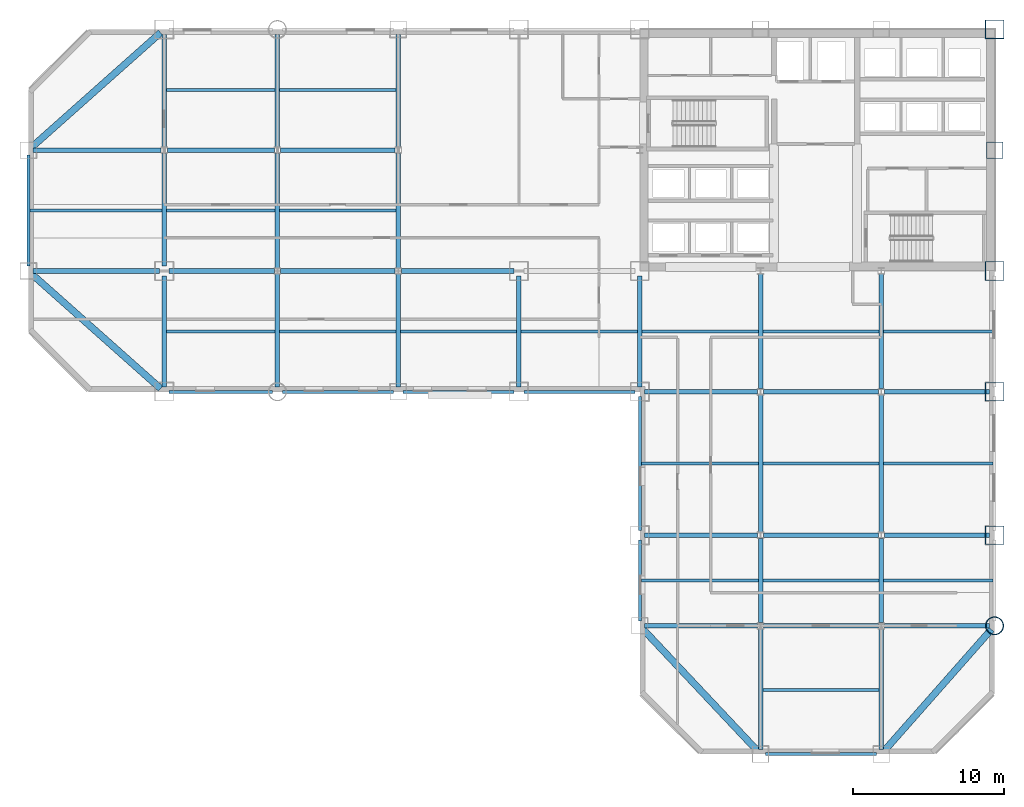
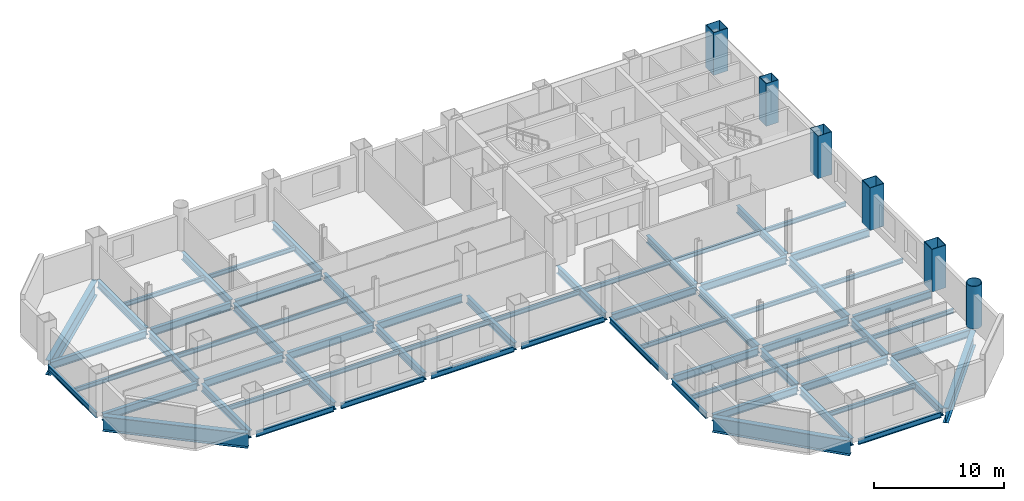
# One storey, part 3 of 9: 66 beams, 6 columns.
"""IFC4 building model written with IfcOpenShell, lengths in metres."""

from ifc_helpers import new_model, si_unit, direction, frame, origin, origin_2d, place, context, subcontext, project, spatial, hollow_rectangle, hollow_circle, i_section, extrude, material, material_profile, profile_set, type_object, element, save


model = new_model("IFC4")

# Units and contexts
model_context = context("Model", 3, precision=1e-05, world=origin(), true_north=direction((0.0, 1.0)))
body_context = subcontext(model_context, "Body", "Model", "MODEL_VIEW")
ifc_project = project(units=[si_unit("LENGTHUNIT", "METRE"), si_unit("AREAUNIT", "SQUARE_METRE"), si_unit("VOLUMEUNIT", "CUBIC_METRE"), si_unit("PLANEANGLEUNIT", "RADIAN"), si_unit("MASSUNIT", "GRAM", prefix="KILO")], contexts=[model_context])

# Site, building, storey
site_placement = place(None, origin())
site = spatial("IfcSite", under=ifc_project, at=site_placement, CompositionType="ELEMENT")
building_placement = place(site_placement, origin())
building = spatial("IfcBuilding", under=site, at=building_placement, Name="Qianrong Seaharbour Tower", CompositionType="ELEMENT")
storey_placement = place(building_placement, frame((0.0, 0.0, 52.199951171875)))
storey = spatial("IfcBuildingStorey", under=building, at=storey_placement, Name="L12", CompositionType="ELEMENT", Elevation=52.199951171875)

# Columns
ifc_material_1 = material(Name="Structural steel SN490B", Category="steel")
ifc_material_profile_1 = material_profile(ifc_material_1, hollow_rectangle(XDim=1.25, YDim=1.25, WallThickness=0.044921875, at=origin_2d()), Name="BOX1250x1250x45")
ifc_profile_set_1 = profile_set([ifc_material_profile_1], Name="Structural steel SN490B")
column_type_1 = type_object("IfcColumnType", Name="COL-CFT-1250", PredefinedType="COLUMN", material=ifc_profile_set_1)
for number, where, z_axis, x_axis, name in (
    (1, (64.0, 18.5, 0.0), (0.0, 0.0, 1.0), (1.0, 0.0, 0.0), "L12 Column MC-2 at G9/GD"),
    (2, (64.0, 28.0, 0.0), (0.0, 0.0, 1.0), (1.0, 0.0, 0.0), "L12 Column MC-2 at G9/GE"),
    (3, (64.0, 36.0, 0.0), (0.0, 0.0, 1.0), (1.0, 0.0, 0.0), "L12 Column MC-2 at G9/GF"),
    (4, (64.0, 52.0, 0.0), (0.0, 0.0, 1.0), (1.0, 0.0, 0.0), "L12 Column MC-2 at G9/GH"),
):
    element("IfcColumn", number, at=place(storey_placement, frame(where, z_axis=z_axis, x_axis=x_axis)), inside=storey, type_object=column_type_1, Name=name, PredefinedType="COLUMN", context=body_context, shape_type="SweptSolid", body=[
        extrude(hollow_rectangle(XDim=1.25, YDim=1.25, WallThickness=0.044921875, at=origin_2d()), origin(), (0.0, 0.0, 1.0), 4.0),
    ])
ifc_material_profile_2 = material_profile(ifc_material_1, hollow_circle(Radius=0.60009765625, WallThickness=0.0400390625, at=origin_2d()), Name="CHS1200x40")
ifc_profile_set_2 = profile_set([ifc_material_profile_2], Name="Structural steel SN490B")
column_type_2 = type_object("IfcColumnType", Name="COL-CHS-1200", PredefinedType="COLUMN", material=ifc_profile_set_2)
column_1_placement = place(storey_placement, frame((64.0, 12.5, 0.0), z_axis=(0.0, 0.0, 1.0), x_axis=(1.0, 0.0, 0.0)))
element("IfcColumn", 5, at=column_1_placement, inside=storey, type_object=column_type_2, Name="L12 Column CC-1 at G9/GC", PredefinedType="COLUMN", context=body_context, shape_type="SweptSolid", body=[
    extrude(hollow_circle(Radius=0.60009765625, WallThickness=0.0400390625, at=origin_2d()), origin(), (0.0, 0.0, 1.0), 4.0),
])
ifc_material_profile_3 = material_profile(ifc_material_1, hollow_rectangle(XDim=1.10009765625, YDim=1.10009765625, WallThickness=0.0400390625, at=origin_2d()), Name="BOX1100x1100x40")
ifc_profile_set_3 = profile_set([ifc_material_profile_3], Name="Structural steel SN490B")
column_type_3 = type_object("IfcColumnType", Name="COL-PER-1100", PredefinedType="COLUMN", material=ifc_profile_set_3)
column_2_placement = place(storey_placement, frame((64.0, 44.0, 0.0), z_axis=(0.0, 0.0, 1.0), x_axis=(1.0, 0.0, 0.0)))
element("IfcColumn", 6, at=column_2_placement, inside=storey, type_object=column_type_3, Name="L12 Column PC-1 at G9/GG", PredefinedType="COLUMN", context=body_context, shape_type="SweptSolid", body=[
    extrude(hollow_rectangle(XDim=1.10009765625, YDim=1.10009765625, WallThickness=0.0400390625, at=origin_2d()), origin(), (0.0, 0.0, 1.0), 4.0),
])

# Beams
ifc_material_profile_4 = material_profile(ifc_material_1, i_section(OverallWidth=0.300048828125, OverallDepth=0.699951171875, WebThickness=0.012939453125, FlangeThickness=0.02392578125, FilletRadius=0.02587890625, at=origin_2d()), Name="H700x300x13x24")
ifc_profile_set_4 = profile_set([ifc_material_profile_4], Name="Structural steel SN490B")
beam_type_1 = type_object("IfcBeamType", Name="BM-G-700", PredefinedType="BEAM", material=ifc_profile_set_4)
beam_1_placement = place(storey_placement, frame((40.820068359375, 12.5, -0.599853515625), z_axis=(1.0, 0.0, 0.0), x_axis=(0.0, 1.0, 0.0)))
element("IfcBeam", 7, at=beam_1_placement, inside=storey, type_object=beam_type_1, Name="L12 Primary Girder GC G6-G7", PredefinedType="BEAM", context=body_context, shape_type="SweptSolid", body=[
    extrude(i_section(OverallWidth=0.300048828125, OverallDepth=0.699951171875, WebThickness=0.012939453125, FlangeThickness=0.02392578125, FilletRadius=0.02587890625, at=origin_2d()), origin(), (0.0, 0.0, 1.0), 7.476318359375),
])
beam_2_placement = place(storey_placement, frame((48.70361328125, 12.5, -0.599853515625), z_axis=(1.0, 0.0, 0.0), x_axis=(0.0, 1.0, 0.0)))
element("IfcBeam", 8, at=beam_2_placement, inside=storey, type_object=beam_type_1, Name="L12 Primary Girder GC G7-G8", PredefinedType="BEAM", context=body_context, shape_type="SweptSolid", body=[
    extrude(i_section(OverallWidth=0.300048828125, OverallDepth=0.699951171875, WebThickness=0.012939453125, FlangeThickness=0.02392578125, FilletRadius=0.02587890625, at=origin_2d()), origin(), (0.0, 0.0, 1.0), 7.5927734375),
])
beam_3_placement = place(storey_placement, frame((56.70361328125, 12.5, -0.599853515625), z_axis=(1.0, 0.0, 0.0), x_axis=(0.0, 1.0, 0.0)))
element("IfcBeam", 9, at=beam_3_placement, inside=storey, type_object=beam_type_1, Name="L12 Primary Girder GC G8-G9", PredefinedType="BEAM", context=body_context, shape_type="SweptSolid", body=[
    extrude(i_section(OverallWidth=0.300048828125, OverallDepth=0.699951171875, WebThickness=0.012939453125, FlangeThickness=0.02392578125, FilletRadius=0.02587890625, at=origin_2d()), origin(), (0.0, 0.0, 1.0), 6.976318359375),
])
beam_4_placement = place(storey_placement, frame((40.820068359375, 18.5, -0.599853515625), z_axis=(1.0, 0.0, 0.0), x_axis=(0.0, 1.0, 0.0)))
element("IfcBeam", 10, at=beam_4_placement, inside=storey, type_object=beam_type_1, Name="L12 Primary Girder GD G6-G7", PredefinedType="BEAM", context=body_context, shape_type="SweptSolid", body=[
    extrude(i_section(OverallWidth=0.300048828125, OverallDepth=0.699951171875, WebThickness=0.012939453125, FlangeThickness=0.02392578125, FilletRadius=0.02587890625, at=origin_2d()), origin(), (0.0, 0.0, 1.0), 7.476318359375),
])
beam_5_placement = place(storey_placement, frame((48.70361328125, 18.5, -0.599853515625), z_axis=(1.0, 0.0, 0.0), x_axis=(0.0, 1.0, 0.0)))
element("IfcBeam", 11, at=beam_5_placement, inside=storey, type_object=beam_type_1, Name="L12 Primary Girder GD G7-G8", PredefinedType="BEAM", context=body_context, shape_type="SweptSolid", body=[
    extrude(i_section(OverallWidth=0.300048828125, OverallDepth=0.699951171875, WebThickness=0.012939453125, FlangeThickness=0.02392578125, FilletRadius=0.02587890625, at=origin_2d()), origin(), (0.0, 0.0, 1.0), 7.5927734375),
])
beam_6_placement = place(storey_placement, frame((56.70361328125, 18.5, -0.599853515625), z_axis=(1.0, 0.0, 0.0), x_axis=(0.0, 1.0, 0.0)))
element("IfcBeam", 12, at=beam_6_placement, inside=storey, type_object=beam_type_1, Name="L12 Primary Girder GD G8-G9", PredefinedType="BEAM", context=body_context, shape_type="SweptSolid", body=[
    extrude(i_section(OverallWidth=0.300048828125, OverallDepth=0.699951171875, WebThickness=0.012939453125, FlangeThickness=0.02392578125, FilletRadius=0.02587890625, at=origin_2d()), origin(), (0.0, 0.0, 1.0), 6.976318359375),
])
beam_7_placement = place(storey_placement, frame((40.820068359375, 28.0, -0.599853515625), z_axis=(1.0, 0.0, 0.0), x_axis=(0.0, 1.0, 0.0)))
element("IfcBeam", 13, at=beam_7_placement, inside=storey, type_object=beam_type_1, Name="L12 Primary Girder GE G6-G7", PredefinedType="BEAM", context=body_context, shape_type="SweptSolid", body=[
    extrude(i_section(OverallWidth=0.300048828125, OverallDepth=0.699951171875, WebThickness=0.012939453125, FlangeThickness=0.02392578125, FilletRadius=0.02587890625, at=origin_2d()), origin(), (0.0, 0.0, 1.0), 7.476318359375),
])
beam_8_placement = place(storey_placement, frame((48.70361328125, 28.0, -0.599853515625), z_axis=(1.0, 0.0, 0.0), x_axis=(0.0, 1.0, 0.0)))
element("IfcBeam", 14, at=beam_8_placement, inside=storey, type_object=beam_type_1, Name="L12 Primary Girder GE G7-G8", PredefinedType="BEAM", context=body_context, shape_type="SweptSolid", body=[
    extrude(i_section(OverallWidth=0.300048828125, OverallDepth=0.699951171875, WebThickness=0.012939453125, FlangeThickness=0.02392578125, FilletRadius=0.02587890625, at=origin_2d()), origin(), (0.0, 0.0, 1.0), 7.5927734375),
])
beam_9_placement = place(storey_placement, frame((56.70361328125, 28.0, -0.599853515625), z_axis=(1.0, 0.0, 0.0), x_axis=(0.0, 1.0, 0.0)))
element("IfcBeam", 15, at=beam_9_placement, inside=storey, type_object=beam_type_1, Name="L12 Primary Girder GE G8-G9", PredefinedType="BEAM", context=body_context, shape_type="SweptSolid", body=[
    extrude(i_section(OverallWidth=0.300048828125, OverallDepth=0.699951171875, WebThickness=0.012939453125, FlangeThickness=0.02392578125, FilletRadius=0.02587890625, at=origin_2d()), origin(), (0.0, 0.0, 1.0), 6.976318359375),
])
beam_10_placement = place(storey_placement, frame((0.320068359375, 36.0, -0.599853515625), z_axis=(1.0, 0.0, 0.0), x_axis=(0.0, 1.0, 0.0)))
element("IfcBeam", 16, at=beam_10_placement, inside=storey, type_object=beam_type_1, Name="L12 Primary Girder GF G1-G2", PredefinedType="BEAM", context=body_context, shape_type="SweptSolid", body=[
    extrude(i_section(OverallWidth=0.300048828125, OverallDepth=0.699951171875, WebThickness=0.012939453125, FlangeThickness=0.02392578125, FilletRadius=0.02587890625, at=origin_2d()), origin(), (0.0, 0.0, 1.0), 8.35986328125),
])
beam_11_placement = place(storey_placement, frame((9.320068359375, 36.0, -0.599853515625), z_axis=(1.0, 0.0, 0.0), x_axis=(0.0, 1.0, 0.0)))
element("IfcBeam", 17, at=beam_11_placement, inside=storey, type_object=beam_type_1, Name="L12 Primary Girder GF G2-G3", PredefinedType="BEAM", context=body_context, shape_type="SweptSolid", body=[
    extrude(i_section(OverallWidth=0.300048828125, OverallDepth=0.699951171875, WebThickness=0.012939453125, FlangeThickness=0.02392578125, FilletRadius=0.02587890625, at=origin_2d()), origin(), (0.0, 0.0, 1.0), 6.976318359375),
])
beam_12_placement = place(storey_placement, frame((16.70361328125, 36.0, -0.599853515625), z_axis=(1.0, 0.0, 0.0), x_axis=(0.0, 1.0, 0.0)))
element("IfcBeam", 18, at=beam_12_placement, inside=storey, type_object=beam_type_1, Name="L12 Primary Girder GF G3-G4", PredefinedType="BEAM", context=body_context, shape_type="SweptSolid", body=[
    extrude(i_section(OverallWidth=0.300048828125, OverallDepth=0.699951171875, WebThickness=0.012939453125, FlangeThickness=0.02392578125, FilletRadius=0.02587890625, at=origin_2d()), origin(), (0.0, 0.0, 1.0), 7.5927734375),
])
beam_13_placement = place(storey_placement, frame((24.70361328125, 36.0, -0.599853515625), z_axis=(1.0, 0.0, 0.0), x_axis=(0.0, 1.0, 0.0)))
element("IfcBeam", 19, at=beam_13_placement, inside=storey, type_object=beam_type_1, Name="L12 Primary Girder GF G4-G5", PredefinedType="BEAM", context=body_context, shape_type="SweptSolid", body=[
    extrude(i_section(OverallWidth=0.300048828125, OverallDepth=0.699951171875, WebThickness=0.012939453125, FlangeThickness=0.02392578125, FilletRadius=0.02587890625, at=origin_2d()), origin(), (0.0, 0.0, 1.0), 7.476318359375),
])
beam_14_placement = place(storey_placement, frame((0.320068359375, 44.0, -0.599853515625), z_axis=(1.0, 0.0, 0.0), x_axis=(0.0, 1.0, 0.0)))
element("IfcBeam", 20, at=beam_14_placement, inside=storey, type_object=beam_type_1, Name="L12 Primary Girder GG G1-G2", PredefinedType="BEAM", context=body_context, shape_type="SweptSolid", body=[
    extrude(i_section(OverallWidth=0.300048828125, OverallDepth=0.699951171875, WebThickness=0.012939453125, FlangeThickness=0.02392578125, FilletRadius=0.02587890625, at=origin_2d()), origin(), (0.0, 0.0, 1.0), 8.476318359375),
])
beam_15_placement = place(storey_placement, frame((9.20361328125, 44.0, -0.599853515625), z_axis=(1.0, 0.0, 0.0), x_axis=(0.0, 1.0, 0.0)))
element("IfcBeam", 21, at=beam_15_placement, inside=storey, type_object=beam_type_1, Name="L12 Primary Girder GG G2-G3", PredefinedType="BEAM", context=body_context, shape_type="SweptSolid", body=[
    extrude(i_section(OverallWidth=0.300048828125, OverallDepth=0.699951171875, WebThickness=0.012939453125, FlangeThickness=0.02392578125, FilletRadius=0.02587890625, at=origin_2d()), origin(), (0.0, 0.0, 1.0), 7.0927734375),
])
beam_16_placement = place(storey_placement, frame((16.70361328125, 44.0, -0.599853515625), z_axis=(1.0, 0.0, 0.0), x_axis=(0.0, 1.0, 0.0)))
element("IfcBeam", 22, at=beam_16_placement, inside=storey, type_object=beam_type_1, Name="L12 Primary Girder GG G3-G4", PredefinedType="BEAM", context=body_context, shape_type="SweptSolid", body=[
    extrude(i_section(OverallWidth=0.300048828125, OverallDepth=0.699951171875, WebThickness=0.012939453125, FlangeThickness=0.02392578125, FilletRadius=0.02587890625, at=origin_2d()), origin(), (0.0, 0.0, 1.0), 7.5927734375),
])
beam_17_placement = place(storey_placement, frame((9.0, 28.320068359375, -0.599853515625), z_axis=(0.0, 1.0, 0.0), x_axis=(-1.0, 0.0, 0.0)))
element("IfcBeam", 23, at=beam_17_placement, inside=storey, type_object=beam_type_1, Name="L12 Primary Girder G2 GE-GF", PredefinedType="BEAM", context=body_context, shape_type="SweptSolid", body=[
    extrude(i_section(OverallWidth=0.300048828125, OverallDepth=0.699951171875, WebThickness=0.012939453125, FlangeThickness=0.02392578125, FilletRadius=0.02587890625, at=origin_2d()), origin(), (0.0, 0.0, 1.0), 7.35986328125),
])
for number, where, z_axis, x_axis, name in (
    (24, (9.0, 36.320068359375, -0.599853515625), (0.0, 1.0, 0.0), (-1.0, 0.0, 0.0), "L12 Primary Girder G2 GF-GG"),
    (25, (9.0, 44.214111328125, -0.599853515625), (0.0, 1.0, 0.0), (-1.0, 0.0, 0.0), "L12 Primary Girder G2 GG-GH"),
    (26, (16.5, 28.320068359375, -0.599853515625), (0.0, 1.0, 0.0), (-1.0, 0.0, 0.0), "L12 Primary Girder G3 GE-GF"),
):
    element("IfcBeam", number, at=place(storey_placement, frame(where, z_axis=z_axis, x_axis=x_axis)), inside=storey, type_object=beam_type_1, Name=name, PredefinedType="BEAM", context=body_context, shape_type="SweptSolid", body=[
        extrude(i_section(OverallWidth=0.300048828125, OverallDepth=0.699951171875, WebThickness=0.012939453125, FlangeThickness=0.02392578125, FilletRadius=0.02587890625, at=origin_2d()), origin(), (0.0, 0.0, 1.0), 7.4658203125),
    ])
beam_18_placement = place(storey_placement, frame((16.5, 36.214111328125, -0.599853515625), z_axis=(0.0, 1.0, 0.0), x_axis=(-1.0, 0.0, 0.0)))
element("IfcBeam", 27, at=beam_18_placement, inside=storey, type_object=beam_type_1, Name="L12 Primary Girder G3 GF-GG", PredefinedType="BEAM", context=body_context, shape_type="SweptSolid", body=[
    extrude(i_section(OverallWidth=0.300048828125, OverallDepth=0.699951171875, WebThickness=0.012939453125, FlangeThickness=0.02392578125, FilletRadius=0.02587890625, at=origin_2d()), origin(), (0.0, 0.0, 1.0), 7.57177734375),
])
for number, where, z_axis, x_axis, name in (
    (28, (16.5, 44.214111328125, -0.599853515625), (0.0, 1.0, 0.0), (-1.0, 0.0, 0.0), "L12 Primary Girder G3 GG-GH"),
    (29, (24.5, 28.320068359375, -0.599853515625), (0.0, 1.0, 0.0), (-1.0, 0.0, 0.0), "L12 Primary Girder G4 GE-GF"),
):
    element("IfcBeam", number, at=place(storey_placement, frame(where, z_axis=z_axis, x_axis=x_axis)), inside=storey, type_object=beam_type_1, Name=name, PredefinedType="BEAM", context=body_context, shape_type="SweptSolid", body=[
        extrude(i_section(OverallWidth=0.300048828125, OverallDepth=0.699951171875, WebThickness=0.012939453125, FlangeThickness=0.02392578125, FilletRadius=0.02587890625, at=origin_2d()), origin(), (0.0, 0.0, 1.0), 7.4658203125),
    ])
beam_19_placement = place(storey_placement, frame((24.5, 36.214111328125, -0.599853515625), z_axis=(0.0, 1.0, 0.0), x_axis=(-1.0, 0.0, 0.0)))
element("IfcBeam", 30, at=beam_19_placement, inside=storey, type_object=beam_type_1, Name="L12 Primary Girder G4 GF-GG", PredefinedType="BEAM", context=body_context, shape_type="SweptSolid", body=[
    extrude(i_section(OverallWidth=0.300048828125, OverallDepth=0.699951171875, WebThickness=0.012939453125, FlangeThickness=0.02392578125, FilletRadius=0.02587890625, at=origin_2d()), origin(), (0.0, 0.0, 1.0), 7.57177734375),
])
beam_20_placement = place(storey_placement, frame((24.5, 44.214111328125, -0.599853515625), z_axis=(0.0, 1.0, 0.0), x_axis=(-1.0, 0.0, 0.0)))
element("IfcBeam", 31, at=beam_20_placement, inside=storey, type_object=beam_type_1, Name="L12 Primary Girder G4 GG-GH", PredefinedType="BEAM", context=body_context, shape_type="SweptSolid", body=[
    extrude(i_section(OverallWidth=0.300048828125, OverallDepth=0.699951171875, WebThickness=0.012939453125, FlangeThickness=0.02392578125, FilletRadius=0.02587890625, at=origin_2d()), origin(), (0.0, 0.0, 1.0), 7.4658203125),
])
for number, where, z_axis, x_axis, name in (
    (32, (32.5, 28.320068359375, -0.599853515625), (0.0, 1.0, 0.0), (-1.0, 0.0, 0.0), "L12 Primary Girder G5 GE-GF"),
    (33, (40.5, 28.320068359375, -0.599853515625), (0.0, 1.0, 0.0), (-1.0, 0.0, 0.0), "L12 Primary Girder G6 GE-GF"),
):
    element("IfcBeam", number, at=place(storey_placement, frame(where, z_axis=z_axis, x_axis=x_axis)), inside=storey, type_object=beam_type_1, Name=name, PredefinedType="BEAM", context=body_context, shape_type="SweptSolid", body=[
        extrude(i_section(OverallWidth=0.300048828125, OverallDepth=0.699951171875, WebThickness=0.012939453125, FlangeThickness=0.02392578125, FilletRadius=0.02587890625, at=origin_2d()), origin(), (0.0, 0.0, 1.0), 7.35986328125),
    ])
beam_21_placement = place(storey_placement, frame((48.5, 4.320068359375, -0.599853515625), z_axis=(0.0, 1.0, 0.0), x_axis=(-1.0, 0.0, 0.0)))
element("IfcBeam", 34, at=beam_21_placement, inside=storey, type_object=beam_type_1, Name="L12 Primary Girder G7 GB-GC", PredefinedType="BEAM", context=body_context, shape_type="SweptSolid", body=[
    extrude(i_section(OverallWidth=0.300048828125, OverallDepth=0.699951171875, WebThickness=0.012939453125, FlangeThickness=0.02392578125, FilletRadius=0.02587890625, at=origin_2d()), origin(), (0.0, 0.0, 1.0), 7.9658203125),
])
beam_22_placement = place(storey_placement, frame((48.5, 12.714111328125, -0.599853515625), z_axis=(0.0, 1.0, 0.0), x_axis=(-1.0, 0.0, 0.0)))
element("IfcBeam", 35, at=beam_22_placement, inside=storey, type_object=beam_type_1, Name="L12 Primary Girder G7 GC-GD", PredefinedType="BEAM", context=body_context, shape_type="SweptSolid", body=[
    extrude(i_section(OverallWidth=0.300048828125, OverallDepth=0.699951171875, WebThickness=0.012939453125, FlangeThickness=0.02392578125, FilletRadius=0.02587890625, at=origin_2d()), origin(), (0.0, 0.0, 1.0), 5.57177734375),
])
beam_23_placement = place(storey_placement, frame((48.5, 28.214111328125, -0.599853515625), z_axis=(0.0, 1.0, 0.0), x_axis=(-1.0, 0.0, 0.0)))
element("IfcBeam", 36, at=beam_23_placement, inside=storey, type_object=beam_type_1, Name="L12 Primary Girder G7 GE-GF", PredefinedType="BEAM", context=body_context, shape_type="SweptSolid", body=[
    extrude(i_section(OverallWidth=0.300048828125, OverallDepth=0.699951171875, WebThickness=0.012939453125, FlangeThickness=0.02392578125, FilletRadius=0.02587890625, at=origin_2d()), origin(), (0.0, 0.0, 1.0), 7.57177734375),
])
beam_24_placement = place(storey_placement, frame((56.5, 4.320068359375, -0.599853515625), z_axis=(0.0, 1.0, 0.0), x_axis=(-1.0, 0.0, 0.0)))
element("IfcBeam", 37, at=beam_24_placement, inside=storey, type_object=beam_type_1, Name="L12 Primary Girder G8 GB-GC", PredefinedType="BEAM", context=body_context, shape_type="SweptSolid", body=[
    extrude(i_section(OverallWidth=0.300048828125, OverallDepth=0.699951171875, WebThickness=0.012939453125, FlangeThickness=0.02392578125, FilletRadius=0.02587890625, at=origin_2d()), origin(), (0.0, 0.0, 1.0), 7.9658203125),
])
beam_25_placement = place(storey_placement, frame((56.5, 12.714111328125, -0.599853515625), z_axis=(0.0, 1.0, 0.0), x_axis=(-1.0, 0.0, 0.0)))
element("IfcBeam", 38, at=beam_25_placement, inside=storey, type_object=beam_type_1, Name="L12 Primary Girder G8 GC-GD", PredefinedType="BEAM", context=body_context, shape_type="SweptSolid", body=[
    extrude(i_section(OverallWidth=0.300048828125, OverallDepth=0.699951171875, WebThickness=0.012939453125, FlangeThickness=0.02392578125, FilletRadius=0.02587890625, at=origin_2d()), origin(), (0.0, 0.0, 1.0), 5.57177734375),
])
beam_26_placement = place(storey_placement, frame((56.5, 28.214111328125, -0.599853515625), z_axis=(0.0, 1.0, 0.0), x_axis=(-1.0, 0.0, 0.0)))
element("IfcBeam", 39, at=beam_26_placement, inside=storey, type_object=beam_type_1, Name="L12 Primary Girder G8 GE-GF", PredefinedType="BEAM", context=body_context, shape_type="SweptSolid", body=[
    extrude(i_section(OverallWidth=0.300048828125, OverallDepth=0.699951171875, WebThickness=0.012939453125, FlangeThickness=0.02392578125, FilletRadius=0.02587890625, at=origin_2d()), origin(), (0.0, 0.0, 1.0), 7.57177734375),
])
ifc_material_profile_5 = material_profile(ifc_material_1, i_section(OverallWidth=0.300048828125, OverallDepth=0.800048828125, WebThickness=0.013916015625, FlangeThickness=0.02587890625, FilletRadius=0.028076171875, at=origin_2d()), Name="H800x300x14x26")
ifc_profile_set_5 = profile_set([ifc_material_profile_5], Name="Structural steel SN490B")
beam_type_2 = type_object("IfcBeamType", Name="BM-G-800", PredefinedType="BEAM", material=ifc_profile_set_5)
for number, where, z_axis, x_axis, name in (
    (40, (48.5, 18.714111328125, -0.64990234375), (0.0, 1.0, 0.0), (-1.0, 0.0, 0.0), "L12 Primary Girder G7 GD-GE"),
    (41, (56.5, 18.714111328125, -0.64990234375), (0.0, 1.0, 0.0), (-1.0, 0.0, 0.0), "L12 Primary Girder G8 GD-GE"),
):
    element("IfcBeam", number, at=place(storey_placement, frame(where, z_axis=z_axis, x_axis=x_axis)), inside=storey, type_object=beam_type_2, Name=name, PredefinedType="BEAM", context=body_context, shape_type="SweptSolid", body=[
        extrude(i_section(OverallWidth=0.300048828125, OverallDepth=0.800048828125, WebThickness=0.013916015625, FlangeThickness=0.02587890625, FilletRadius=0.028076171875, at=origin_2d()), origin(), (0.0, 0.0, 1.0), 9.07177734375),
    ])
ifc_material_2 = material(Name="Structural steel SN400B", Category="steel")
ifc_material_profile_6 = material_profile(ifc_material_2, i_section(OverallWidth=0.199951171875, OverallDepth=0.39990234375, WebThickness=0.008056640625, FlangeThickness=0.012939453125, FilletRadius=0.01611328125, at=origin_2d()), Name="H400x200x8x13")
ifc_profile_set_6 = profile_set([ifc_material_profile_6], Name="Structural steel SN400B")
beam_type_3 = type_object("IfcBeamType", Name="BM-J-400", PredefinedType="JOIST", material=ifc_profile_set_6)
beam_27_placement = place(storey_placement, frame((0.10009765625, 40.0, -0.449951171875), z_axis=(1.0, 0.0, 0.0), x_axis=(0.0, 1.0, 0.0)))
element("IfcBeam", 42, at=beam_27_placement, inside=storey, type_object=beam_type_3, Name="L12 Composite Floor Joist G1-G2/GF-GG", PredefinedType="JOIST", context=body_context, shape_type="SweptSolid", body=[
    extrude(i_section(OverallWidth=0.199951171875, OverallDepth=0.39990234375, WebThickness=0.008056640625, FlangeThickness=0.012939453125, FilletRadius=0.01611328125, at=origin_2d()), origin(), (0.0, 0.0, 1.0), 8.75),
])
for number, where, z_axis, x_axis, name in (
    (43, (9.14990234375, 32.0, -0.449951171875), (1.0, 0.0, 0.0), (0.0, 1.0, 0.0), "L12 Composite Floor Joist G2-G3/GE-GF"),
    (44, (9.14990234375, 40.0, -0.449951171875), (1.0, 0.0, 0.0), (0.0, 1.0, 0.0), "L12 Composite Floor Joist G2-G3/GF-GG"),
    (45, (9.14990234375, 48.0, -0.449951171875), (1.0, 0.0, 0.0), (0.0, 1.0, 0.0), "L12 Composite Floor Joist G2-G3/GG-GH"),
):
    element("IfcBeam", number, at=place(storey_placement, frame(where, z_axis=z_axis, x_axis=x_axis)), inside=storey, type_object=beam_type_3, Name=name, PredefinedType="JOIST", context=body_context, shape_type="SweptSolid", body=[
        extrude(i_section(OverallWidth=0.199951171875, OverallDepth=0.39990234375, WebThickness=0.008056640625, FlangeThickness=0.012939453125, FilletRadius=0.01611328125, at=origin_2d()), origin(), (0.0, 0.0, 1.0), 7.2001953125),
    ])
for number, where, z_axis, x_axis, name in (
    (46, (16.64990234375, 32.0, -0.449951171875), (1.0, 0.0, 0.0), (0.0, 1.0, 0.0), "L12 Composite Floor Joist G3-G4/GE-GF"),
    (47, (16.64990234375, 40.0, -0.449951171875), (1.0, 0.0, 0.0), (0.0, 1.0, 0.0), "L12 Composite Floor Joist G3-G4/GF-GG"),
    (48, (16.64990234375, 48.0, -0.449951171875), (1.0, 0.0, 0.0), (0.0, 1.0, 0.0), "L12 Composite Floor Joist G3-G4/GG-GH"),
    (49, (24.64990234375, 32.0, -0.449951171875), (1.0, 0.0, 0.0), (0.0, 1.0, 0.0), "L12 Composite Floor Joist G4-G5/GE-GF"),
    (50, (32.64990234375, 32.0, -0.449951171875), (1.0, 0.0, 0.0), (0.0, 1.0, 0.0), "L12 Composite Floor Joist G5-G6/GE-GF"),
):
    element("IfcBeam", number, at=place(storey_placement, frame(where, z_axis=z_axis, x_axis=x_axis)), inside=storey, type_object=beam_type_3, Name=name, PredefinedType="JOIST", context=body_context, shape_type="SweptSolid", body=[
        extrude(i_section(OverallWidth=0.199951171875, OverallDepth=0.39990234375, WebThickness=0.008056640625, FlangeThickness=0.012939453125, FilletRadius=0.01611328125, at=origin_2d()), origin(), (0.0, 0.0, 1.0), 7.7001953125),
    ])
for number, where, z_axis, x_axis, name in (
    (51, (40.60009765625, 15.5, -0.449951171875), (1.0, 0.0, 0.0), (0.0, 1.0, 0.0), "L12 Composite Floor Joist G6-G7/GC-GD"),
    (52, (40.60009765625, 23.25, -0.449951171875), (1.0, 0.0, 0.0), (0.0, 1.0, 0.0), "L12 Composite Floor Joist G6-G7/GD-GE"),
):
    element("IfcBeam", number, at=place(storey_placement, frame(where, z_axis=z_axis, x_axis=x_axis)), inside=storey, type_object=beam_type_3, Name=name, PredefinedType="JOIST", context=body_context, shape_type="SweptSolid", body=[
        extrude(i_section(OverallWidth=0.199951171875, OverallDepth=0.39990234375, WebThickness=0.008056640625, FlangeThickness=0.012939453125, FilletRadius=0.01611328125, at=origin_2d()), origin(), (0.0, 0.0, 1.0), 7.75),
    ])
for number, where, z_axis, x_axis, name in (
    (53, (40.64990234375, 32.0, -0.449951171875), (1.0, 0.0, 0.0), (0.0, 1.0, 0.0), "L12 Composite Floor Joist G6-G7/GE-GF"),
    (54, (48.64990234375, 8.25, -0.449951171875), (1.0, 0.0, 0.0), (0.0, 1.0, 0.0), "L12 Composite Floor Joist G7-G8/GB-GC"),
    (55, (48.64990234375, 15.5, -0.449951171875), (1.0, 0.0, 0.0), (0.0, 1.0, 0.0), "L12 Composite Floor Joist G7-G8/GC-GD"),
    (56, (48.64990234375, 23.25, -0.449951171875), (1.0, 0.0, 0.0), (0.0, 1.0, 0.0), "L12 Composite Floor Joist G7-G8/GD-GE"),
    (57, (48.64990234375, 32.0, -0.449951171875), (1.0, 0.0, 0.0), (0.0, 1.0, 0.0), "L12 Composite Floor Joist G7-G8/GE-GF"),
):
    element("IfcBeam", number, at=place(storey_placement, frame(where, z_axis=z_axis, x_axis=x_axis)), inside=storey, type_object=beam_type_3, Name=name, PredefinedType="JOIST", context=body_context, shape_type="SweptSolid", body=[
        extrude(i_section(OverallWidth=0.199951171875, OverallDepth=0.39990234375, WebThickness=0.008056640625, FlangeThickness=0.012939453125, FilletRadius=0.01611328125, at=origin_2d()), origin(), (0.0, 0.0, 1.0), 7.7001953125),
    ])
for number, where, z_axis, x_axis, name in (
    (58, (56.64990234375, 15.5, -0.449951171875), (1.0, 0.0, 0.0), (0.0, 1.0, 0.0), "L12 Composite Floor Joist G8-G9/GC-GD"),
    (59, (56.64990234375, 23.25, -0.449951171875), (1.0, 0.0, 0.0), (0.0, 1.0, 0.0), "L12 Composite Floor Joist G8-G9/GD-GE"),
    (60, (56.64990234375, 32.0, -0.449951171875), (1.0, 0.0, 0.0), (0.0, 1.0, 0.0), "L12 Composite Floor Joist G8-G9/GE-GF"),
):
    element("IfcBeam", number, at=place(storey_placement, frame(where, z_axis=z_axis, x_axis=x_axis)), inside=storey, type_object=beam_type_3, Name=name, PredefinedType="JOIST", context=body_context, shape_type="SweptSolid", body=[
        extrude(i_section(OverallWidth=0.199951171875, OverallDepth=0.39990234375, WebThickness=0.008056640625, FlangeThickness=0.012939453125, FilletRadius=0.01611328125, at=origin_2d()), origin(), (0.0, 0.0, 1.0), 7.25),
    ])
ifc_material_profile_7 = material_profile(ifc_material_1, i_section(OverallWidth=0.199951171875, OverallDepth=0.5, WebThickness=0.010009765625, FlangeThickness=0.01611328125, FilletRadius=0.02001953125, at=origin_2d()), Name="H500x200x10x16")
ifc_profile_set_7 = profile_set([ifc_material_profile_7], Name="Structural steel SN490B")
beam_type_4 = type_object("IfcBeamType", Name="BM-SP-500", PredefinedType="SPANDREL", material=ifc_profile_set_7)
beam_28_placement = place(storey_placement, frame((48.820068359375, 4.0, -0.5), z_axis=(1.0, 0.0, 0.0), x_axis=(0.0, 1.0, 0.0)))
element("IfcBeam", 61, at=beam_28_placement, inside=storey, type_object=beam_type_4, Name="L12 Spandrel Girder GB G7-G8", PredefinedType="SPANDREL", context=body_context, shape_type="SweptSolid", body=[
    extrude(i_section(OverallWidth=0.199951171875, OverallDepth=0.5, WebThickness=0.010009765625, FlangeThickness=0.01611328125, FilletRadius=0.02001953125, at=origin_2d()), origin(), (0.0, 0.0, 1.0), 7.35986328125),
])
beam_29_placement = place(storey_placement, frame((9.320068359375, 28.0, -0.5), z_axis=(1.0, 0.0, 0.0), x_axis=(0.0, 1.0, 0.0)))
element("IfcBeam", 62, at=beam_29_placement, inside=storey, type_object=beam_type_4, Name="L12 Spandrel Girder GE G2-G3", PredefinedType="SPANDREL", context=body_context, shape_type="SweptSolid", body=[
    extrude(i_section(OverallWidth=0.199951171875, OverallDepth=0.5, WebThickness=0.010009765625, FlangeThickness=0.01611328125, FilletRadius=0.02001953125, at=origin_2d()), origin(), (0.0, 0.0, 1.0), 6.85986328125),
])
for number, where, z_axis, x_axis, name in (
    (63, (16.820068359375, 28.0, -0.5), (1.0, 0.0, 0.0), (0.0, 1.0, 0.0), "L12 Spandrel Girder GE G3-G4"),
    (64, (24.820068359375, 28.0, -0.5), (1.0, 0.0, 0.0), (0.0, 1.0, 0.0), "L12 Spandrel Girder GE G4-G5"),
    (65, (32.820068359375, 28.0, -0.5), (1.0, 0.0, 0.0), (0.0, 1.0, 0.0), "L12 Spandrel Girder GE G5-G6"),
    (66, (0.0, 36.320068359375, -0.5), (0.0, 1.0, 0.0), (-1.0, 0.0, 0.0), "L12 Spandrel Girder G1 GF-GG"),
):
    element("IfcBeam", number, at=place(storey_placement, frame(where, z_axis=z_axis, x_axis=x_axis)), inside=storey, type_object=beam_type_4, Name=name, PredefinedType="SPANDREL", context=body_context, shape_type="SweptSolid", body=[
        extrude(i_section(OverallWidth=0.199951171875, OverallDepth=0.5, WebThickness=0.010009765625, FlangeThickness=0.01611328125, FilletRadius=0.02001953125, at=origin_2d()), origin(), (0.0, 0.0, 1.0), 7.35986328125),
    ])
beam_30_placement = place(storey_placement, frame((40.5, 12.820068359375, -0.5), z_axis=(0.0, 1.0, 0.0), x_axis=(-1.0, 0.0, 0.0)))
element("IfcBeam", 67, at=beam_30_placement, inside=storey, type_object=beam_type_4, Name="L12 Spandrel Girder G6 GC-GD", PredefinedType="SPANDREL", context=body_context, shape_type="SweptSolid", body=[
    extrude(i_section(OverallWidth=0.199951171875, OverallDepth=0.5, WebThickness=0.010009765625, FlangeThickness=0.01611328125, FilletRadius=0.02001953125, at=origin_2d()), origin(), (0.0, 0.0, 1.0), 5.35986328125),
])
beam_31_placement = place(storey_placement, frame((40.5, 18.820068359375, -0.5), z_axis=(0.0, 1.0, 0.0), x_axis=(-1.0, 0.0, 0.0)))
element("IfcBeam", 68, at=beam_31_placement, inside=storey, type_object=beam_type_4, Name="L12 Spandrel Girder G6 GD-GE", PredefinedType="SPANDREL", context=body_context, shape_type="SweptSolid", body=[
    extrude(i_section(OverallWidth=0.199951171875, OverallDepth=0.5, WebThickness=0.010009765625, FlangeThickness=0.01611328125, FilletRadius=0.02001953125, at=origin_2d()), origin(), (0.0, 0.0, 1.0), 8.85986328125),
])
ifc_material_profile_8 = material_profile(ifc_material_1, i_section(OverallWidth=0.449951171875, OverallDepth=1.39990234375, WebThickness=0.02197265625, FlangeThickness=0.0400390625, at=origin_2d()), Name="BH1400x450x22x40")
ifc_profile_set_8 = profile_set([ifc_material_profile_8], Name="Structural steel SN490B")
beam_type_5 = type_object("IfcBeamType", Name="BM-TG-1400", PredefinedType="BEAM", material=ifc_profile_set_8)
for number, where, z_axis, x_axis, name in (
    (69, (8.7607421875, 28.212646484375, -0.949951171875), (-0.747406955841, 0.664366497018, 0.0), (-0.664366497018, -0.747406955841, 0.0), "L12 Chamfer Corner Spandrel Girder G1/GE"),
    (70, (8.7607421875, 51.787353515625, -0.949951171875), (-0.747406955841, -0.664366497018, 0.0), (0.664366497018, -0.747406955841, 0.0), "L12 Chamfer Corner Spandrel Girder G1/GH"),
):
    element("IfcBeam", number, at=place(storey_placement, frame(where, z_axis=z_axis, x_axis=x_axis)), inside=storey, type_object=beam_type_5, Name=name, PredefinedType="BEAM", context=body_context, shape_type="SweptSolid", body=[
        extrude(i_section(OverallWidth=0.449951171875, OverallDepth=1.39990234375, WebThickness=0.02197265625, FlangeThickness=0.0400390625, at=origin_2d()), origin(), (0.0, 0.0, 1.0), 11.4013671875),
    ])
beam_32_placement = place(storey_placement, frame((48.28076171875, 4.23291015625, -0.949951171875), z_axis=(-0.685361938021, 0.728202591256, 0.0), x_axis=(-0.728202591256, -0.685361938021, 0.0)))
element("IfcBeam", 71, at=beam_32_placement, inside=storey, type_object=beam_type_5, Name="L12 Chamfer Corner Spandrel Girder G6/GB", PredefinedType="BEAM", context=body_context, shape_type="SweptSolid", body=[
    extrude(i_section(OverallWidth=0.449951171875, OverallDepth=1.39990234375, WebThickness=0.02197265625, FlangeThickness=0.0400390625, at=origin_2d()), origin(), (0.0, 0.0, 1.0), 11.032958984375),
])
beam_33_placement = place(storey_placement, frame((56.711669921875, 4.239990234375, -0.949951171875), z_axis=(0.661630696334, 0.749829861815, 0.0), x_axis=(-0.749829861815, 0.661630696334, 0.0)))
element("IfcBeam", 72, at=beam_33_placement, inside=storey, type_object=beam_type_5, Name="L12 Chamfer Corner Spandrel Girder G9/GB", PredefinedType="BEAM", context=body_context, shape_type="SweptSolid", body=[
    extrude(i_section(OverallWidth=0.449951171875, OverallDepth=1.39990234375, WebThickness=0.02197265625, FlangeThickness=0.0400390625, at=origin_2d()), origin(), (0.0, 0.0, 1.0), 10.69580078125),
])

save(model, "model.ifc")
